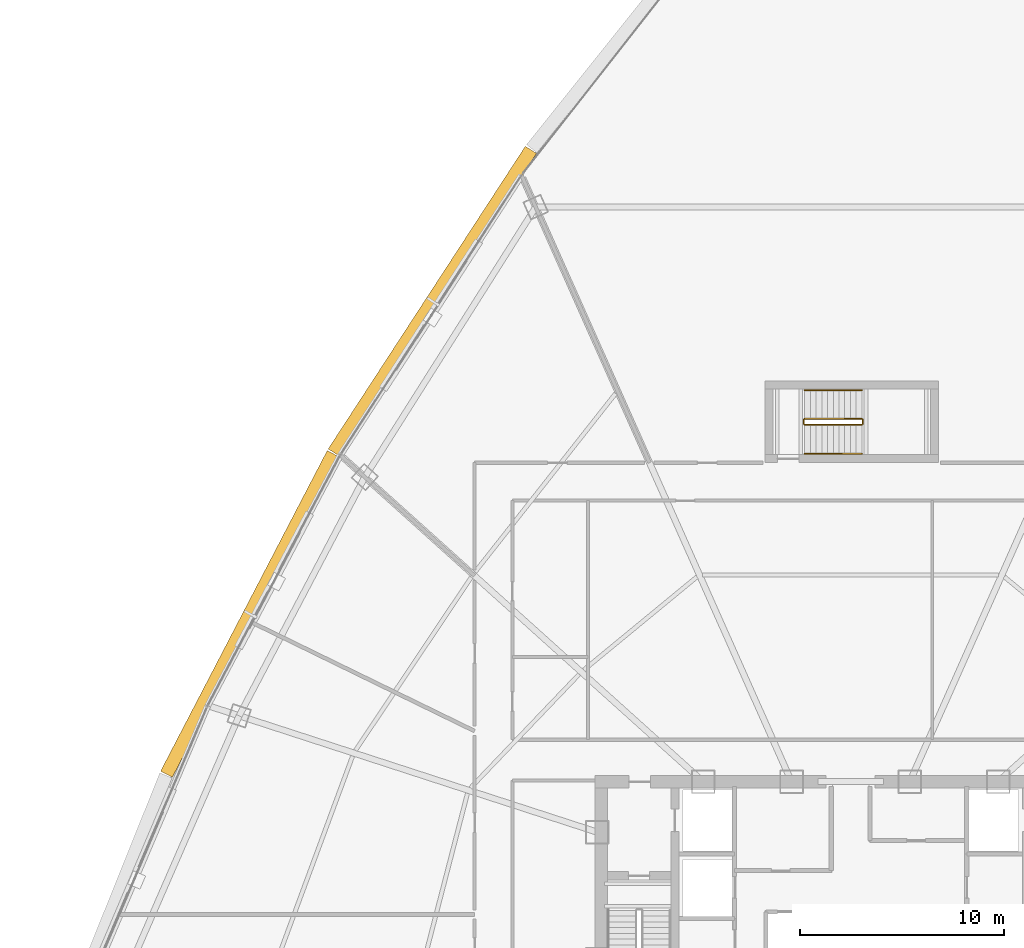
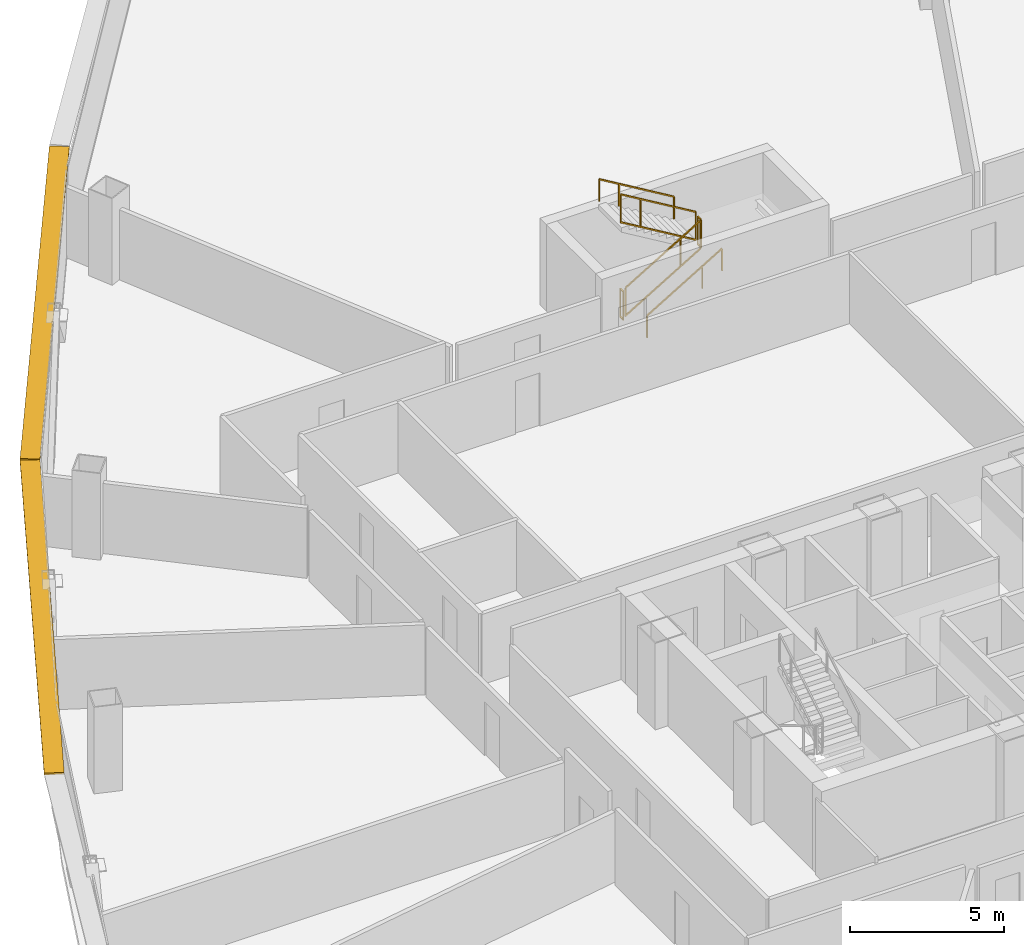
# One storey, part 38 of 39: 6 railings, 2 shading devices.
"""IFC4 building model written with IfcOpenShell, lengths in metres."""

from ifc_helpers import new_model, si_unit, direction, frame, origin, origin_2d, place, context, subcontext, project, spatial, rectangle, extrude, source, transform, mapped, material, layer, layer_set, type_object, element, save


model = new_model("IFC4")

# Units and contexts
model_context = context("Model", 3, precision=1e-05, world=origin(), true_north=direction((0.0, 1.0)))
body_context = subcontext(model_context, "Body", "Model", "MODEL_VIEW")
ifc_project = project(units=[si_unit("LENGTHUNIT", "METRE"), si_unit("AREAUNIT", "SQUARE_METRE"), si_unit("VOLUMEUNIT", "CUBIC_METRE"), si_unit("PLANEANGLEUNIT", "RADIAN"), si_unit("MASSUNIT", "GRAM", prefix="KILO"), si_unit("THERMODYNAMICTEMPERATUREUNIT", "KELVIN"), si_unit("POWERUNIT", "WATT")], contexts=[model_context])

# Site, building, storey
site_placement = place(None, origin())
site = spatial("IfcSite", under=ifc_project, at=site_placement, CompositionType="ELEMENT")
building_placement = place(site_placement, origin())
building = spatial("IfcBuilding", under=site, at=building_placement, Name="Yunzhuo Pagoda Commons", CompositionType="ELEMENT")
storey_placement = place(building_placement, frame((0.0, 0.0, 148.22998046875)))
storey = spatial("IfcBuildingStorey", under=building, at=storey_placement, Name="L37", CompositionType="ELEMENT", Elevation=148.22998046875)

# Railings
ifc_material = material(Name="Anodized aluminium 6063-T6", Category="aluminium")
railing_type_1 = type_object("IfcRailingType", Name="GR-ST3 North Well Guardrail 1155", PredefinedType="GUARDRAIL", material=ifc_material)
railing_1_placement = place(storey_placement, frame((45.75, 57.64990234375, 0.167236328125)))
element("IfcRailing", 1, at=railing_1_placement, inside=storey, type_object=railing_type_1, Name="L37 ST3 stair guard 1", PredefinedType="GUARDRAIL", context=body_context, shape_type="SweptSolid", body=[
    extrude(rectangle(XDim=0.048095703125, YDim=0.048095703125, at=origin_2d()), frame((0.0, 0.0, 1.1259765625), z_axis=(0.858462256164, 0.0, 0.512876744201), x_axis=(0.0, 1.0, 0.0)), (0.0, 0.0, 1.0), 3.26171875),
    extrude(rectangle(XDim=0.048095703125, YDim=0.048095703125, at=origin_2d()), frame((0.0, 0.0, 0.02392578125), z_axis=(0.858462256164, 0.0, 0.512876744201), x_axis=(0.0, 1.0, 0.0)), (0.0, 0.0, 1.0), 3.26171875),
    extrude(rectangle(XDim=0.0419921875, YDim=0.0419921875, at=origin_2d()), origin(), (0.0, 0.0, 1.0), 1.101806640625),
    extrude(rectangle(XDim=0.0419921875, YDim=0.0419921875, at=origin_2d()), frame((2.060302734375, 0.0, 1.23095703125)), (0.0, 0.0, 1.0), 1.101806640625),
    extrude(rectangle(XDim=0.0419921875, YDim=0.0419921875, at=origin_2d()), frame((2.800048828125, 0.0, 1.6728515625)), (0.0, 0.0, 1.0), 1.101806640625),
])
railing_2_placement = place(storey_placement, frame((48.60009765625, 57.699951171875, 1.840087890625)))
element("IfcRailing", 2, at=railing_2_placement, inside=storey, type_object=railing_type_1, Name="L37 ST3 stair guard 2", PredefinedType="GUARDRAIL", context=body_context, shape_type="SweptSolid", body=[
    extrude(rectangle(XDim=0.048095703125, YDim=0.048095703125, at=origin_2d()), frame((0.0, 0.0, 1.1259765625), z_axis=(0.0, 1.0, 0.0), x_axis=(-1.0, 0.0, 0.0)), (0.0, 0.0, 1.0), 0.199951171875),
    extrude(rectangle(XDim=0.048095703125, YDim=0.048095703125, at=origin_2d()), frame((0.0, 0.0, 0.02392578125), z_axis=(0.0, 1.0, 0.0), x_axis=(-1.0, 0.0, 0.0)), (0.0, 0.0, 1.0), 0.199951171875),
    extrude(rectangle(XDim=0.0419921875, YDim=0.0419921875, at=origin_2d()), origin(), (0.0, 0.0, 1.0), 1.101806640625),
    extrude(rectangle(XDim=0.0419921875, YDim=0.0419921875, at=origin_2d()), frame((0.0, 0.199951171875, 0.0)), (0.0, 0.0, 1.0), 1.101806640625),
])
railing_3_placement = place(storey_placement, frame((48.550048828125, 57.949951171875, 2.00732421875)))
element("IfcRailing", 3, at=railing_3_placement, inside=storey, type_object=railing_type_1, Name="L37 ST3 stair guard 3", PredefinedType="GUARDRAIL", context=body_context, shape_type="SweptSolid", body=[
    extrude(rectangle(XDim=0.048095703125, YDim=0.048095703125, at=origin_2d()), frame((0.0, 0.0, 1.1259765625), z_axis=(-0.858495211305, 0.0, 0.512821579271), x_axis=(0.0, -1.0, 0.0)), (0.0, 0.0, 1.0), 3.261474609375),
    extrude(rectangle(XDim=0.048095703125, YDim=0.048095703125, at=origin_2d()), frame((0.0, 0.0, 0.02392578125), z_axis=(-0.858495211305, 0.0, 0.512821579271), x_axis=(0.0, -1.0, 0.0)), (0.0, 0.0, 1.0), 3.261474609375),
    extrude(rectangle(XDim=0.0419921875, YDim=0.0419921875, at=origin_2d()), origin(), (0.0, 0.0, 1.0), 1.101806640625),
    extrude(rectangle(XDim=0.0419921875, YDim=0.0419921875, at=origin_2d()), frame((-2.060302734375, 0.0, 1.230712890625)), (0.0, 0.0, 1.0), 1.101806640625),
    extrude(rectangle(XDim=0.0419921875, YDim=0.0419921875, at=origin_2d()), frame((-2.800048828125, 0.0, 1.672607421875)), (0.0, 0.0, 1.0), 1.101806640625),
])
railing_4_placement = place(storey_placement, frame((45.699951171875, 57.699951171875, 0.0)))
element("IfcRailing", 4, at=railing_4_placement, inside=storey, type_object=railing_type_1, Name="L37 ST3 stair guard 4", PredefinedType="GUARDRAIL", context=body_context, shape_type="SweptSolid", body=[
    extrude(rectangle(XDim=0.048095703125, YDim=0.048095703125, at=origin_2d()), frame((0.0, 0.0, 1.1259765625), z_axis=(0.0, 1.0, 0.0), x_axis=(-1.0, 0.0, 0.0)), (0.0, 0.0, 1.0), 0.199951171875),
    extrude(rectangle(XDim=0.048095703125, YDim=0.048095703125, at=origin_2d()), frame((0.0, 0.0, 0.02392578125), z_axis=(0.0, 1.0, 0.0), x_axis=(-1.0, 0.0, 0.0)), (0.0, 0.0, 1.0), 0.199951171875),
    extrude(rectangle(XDim=0.0419921875, YDim=0.0419921875, at=origin_2d()), origin(), (0.0, 0.0, 1.0), 1.101806640625),
    extrude(rectangle(XDim=0.0419921875, YDim=0.0419921875, at=origin_2d()), frame((0.0, 0.199951171875, 0.0)), (0.0, 0.0, 1.0), 1.101806640625),
])
railing_type_2 = type_object("IfcRailingType", Name="HR-ST3 North Stair Handrail 900", PredefinedType="HANDRAIL", material=ifc_material)
railing_5_placement = place(storey_placement, frame((45.75, 56.25, 0.167236328125)))
element("IfcRailing", 5, at=railing_5_placement, inside=storey, type_object=railing_type_2, Name="L37 ST3 stair handrail 1", PredefinedType="HANDRAIL", context=body_context, shape_type="SweptSolid", body=[
    extrude(rectangle(XDim=0.048095703125, YDim=0.048095703125, at=origin_2d()), frame((0.0, 0.0, 0.8759765625), z_axis=(0.858462256164, 0.0, 0.512876744201), x_axis=(0.0, 1.0, 0.0)), (0.0, 0.0, 1.0), 3.26171875),
    extrude(rectangle(XDim=0.0419921875, YDim=0.0419921875, at=origin_2d()), origin(), (0.0, 0.0, 1.0), 0.851806640625),
    extrude(rectangle(XDim=0.0419921875, YDim=0.0419921875, at=origin_2d()), frame((2.060302734375, 0.0, 1.23095703125)), (0.0, 0.0, 1.0), 0.851806640625),
    extrude(rectangle(XDim=0.0419921875, YDim=0.0419921875, at=origin_2d()), frame((2.800048828125, 0.0, 1.6728515625)), (0.0, 0.0, 1.0), 0.851806640625),
])
railing_6_placement = place(storey_placement, frame((48.550048828125, 59.35009765625, 2.00732421875)))
element("IfcRailing", 6, at=railing_6_placement, inside=storey, type_object=railing_type_2, Name="L37 ST3 stair handrail 2", PredefinedType="HANDRAIL", context=body_context, shape_type="SweptSolid", body=[
    extrude(rectangle(XDim=0.048095703125, YDim=0.048095703125, at=origin_2d()), frame((0.0, 0.0, 0.8759765625), z_axis=(-0.858495211305, 0.0, 0.512821579271), x_axis=(0.0, -1.0, 0.0)), (0.0, 0.0, 1.0), 3.261474609375),
    extrude(rectangle(XDim=0.0419921875, YDim=0.0419921875, at=origin_2d()), origin(), (0.0, 0.0, 1.0), 0.851806640625),
    extrude(rectangle(XDim=0.0419921875, YDim=0.0419921875, at=origin_2d()), frame((-2.060302734375, 0.0, 1.230712890625)), (0.0, 0.0, 1.0), 0.851806640625),
    extrude(rectangle(XDim=0.0419921875, YDim=0.0419921875, at=origin_2d()), frame((-2.800048828125, 0.0, 1.672607421875)), (0.0, 0.0, 1.0), 0.851806640625),
])

# Shading devices
ifc_layer = layer(ifc_material, 0.080078125)
ifc_layer_set = layer_set([ifc_layer], Name="Anodized aluminium 6063-T6")
shading_device_type = type_object("IfcShadingDeviceType", Name="SH-SUN1 Pagoda Horizontal Sunshade Eave 650", PredefinedType="USERDEFINED", material=ifc_layer_set)
shared_shape = source(origin(), body_context, "Body", "SweptSolid", [
    extrude(rectangle(XDim=17.672607421875, YDim=0.64990234375, at=origin_2d()), origin(), (0.0, 0.0, 1.0), 0.080078125),
])
for number, where, z_axis, x_axis, name in (
    (7, (27.535888671875, 63.70263671875, 3.340087890625), (0.0, 0.0, 1.0), (-0.545853380833, -0.837880711458, 0.0), "L37 horizontal pagoda sunshade eave F3.2"),
    (8, (18.605224609375, 48.403564453125, 3.340087890625), (0.0, 0.0, 1.0), (-0.461206683033, -0.88729273384, 0.0), "L37 horizontal pagoda sunshade eave F3.3"),
):
    element("IfcShadingDevice", number, at=place(storey_placement, frame(where, z_axis=z_axis, x_axis=x_axis)), inside=storey, type_object=shading_device_type, Name=name, ObjectType="SUNSHADE", PredefinedType="USERDEFINED", context=body_context, shape_type="MappedRepresentation", body=[
        mapped(shared_shape, transform((0.0, 0.0, 0.0), scale=1.0)),
    ])

save(model, "model.ifc")
